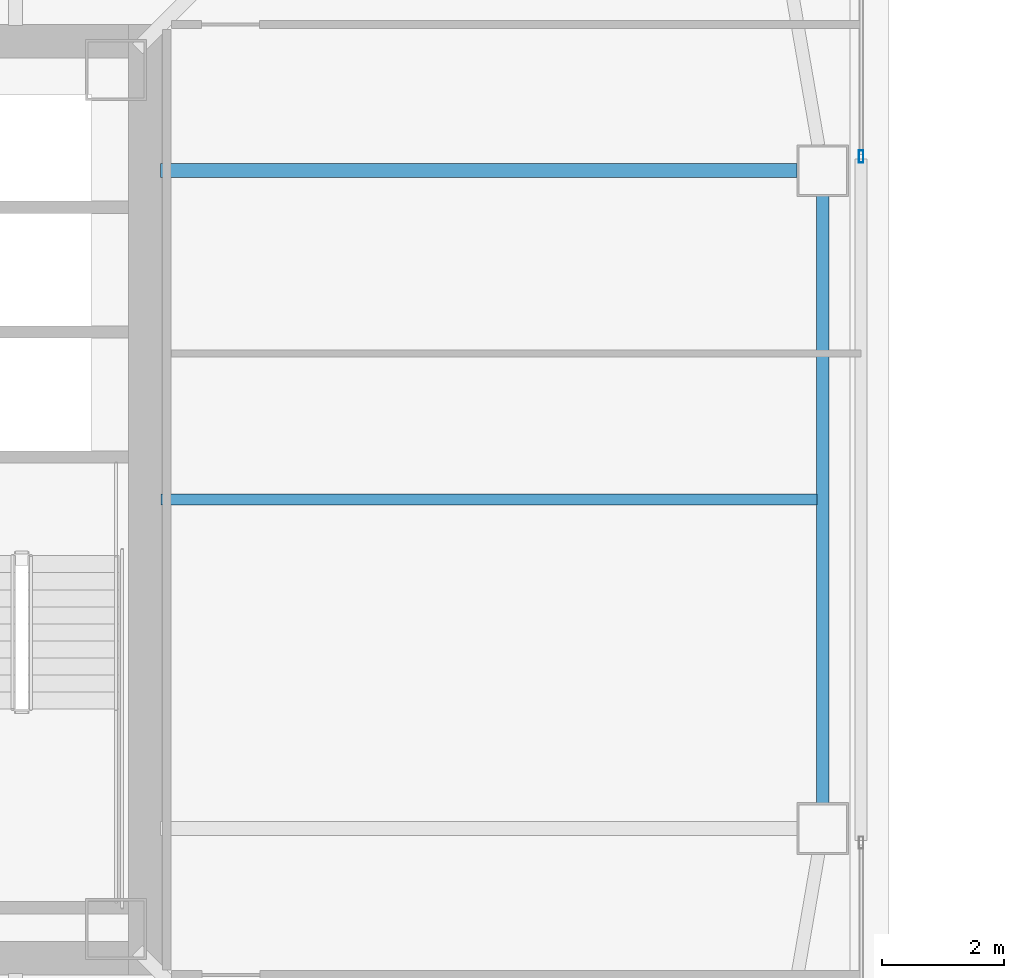
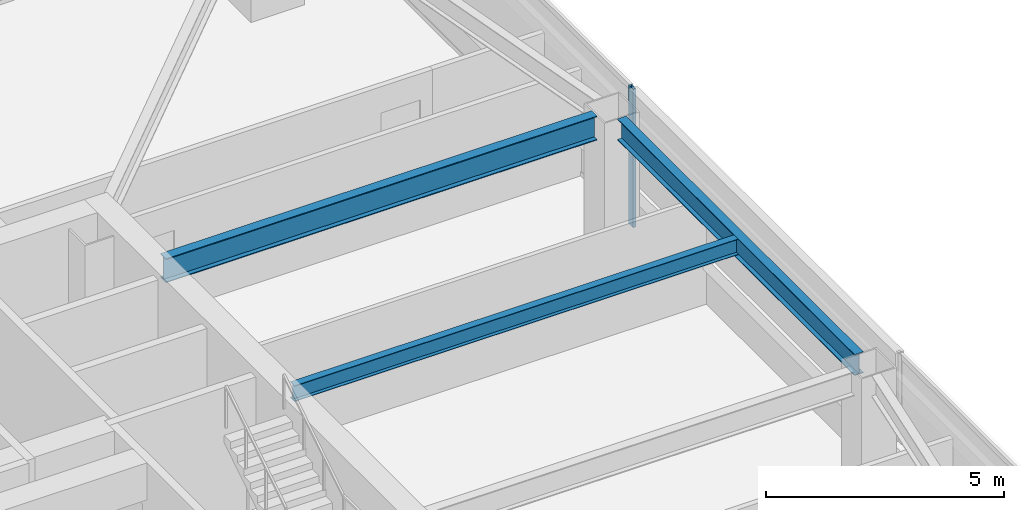
# One storey, part 10 of 41: 3 beams, 1 member, 1 element without a shape of its own.
"""IFC4 building model written with IfcOpenShell, lengths in metres."""

from ifc_helpers import new_model, si_unit, direction, frame, origin, origin_2d, place, context, subcontext, project, spatial, hollow_rectangle, i_section, extrude, material, material_profile, profile_set, type_object, element, aggregate, save


model = new_model("IFC4")

# Units and contexts
model_context = context("Model", 3, precision=1e-05, world=origin(), true_north=direction((0.0, 1.0)))
body_context = subcontext(model_context, "Body", "Model", "MODEL_VIEW")
ifc_project = project(units=[si_unit("LENGTHUNIT", "METRE"), si_unit("AREAUNIT", "SQUARE_METRE"), si_unit("VOLUMEUNIT", "CUBIC_METRE"), si_unit("PLANEANGLEUNIT", "RADIAN"), si_unit("MASSUNIT", "GRAM", prefix="KILO")], contexts=[model_context])

# Site, building, storey
site_placement = place(None, origin())
site = spatial("IfcSite", under=ifc_project, at=site_placement, CompositionType="ELEMENT")
building_placement = place(site_placement, origin())
building = spatial("IfcBuilding", under=site, at=building_placement, Name="Tashvorn Skyway Center", CompositionType="ELEMENT")
storey_placement = place(building_placement, frame((0.0, 0.0, 117.949951171875)))
storey = spatial("IfcBuildingStorey", under=building, at=storey_placement, Name="L31", CompositionType="ELEMENT", Elevation=117.949951171875)

# Beams
ifc_material_1 = material(Name="Steel ASTM A992 Grade 50", Category="steel")
ifc_material_profile_1 = material_profile(ifc_material_1, i_section(OverallWidth=0.22998046875, OverallDepth=0.616943359375, WebThickness=0.01318359375, FlangeThickness=0.022216796875, at=origin_2d()), Name="W24X94")
ifc_profile_set_1 = profile_set([ifc_material_profile_1], Name="Steel ASTM A992 Grade 50")
beam_type_1 = type_object("IfcBeamType", Name="BM-BEAM-W24X94", PredefinedType="BEAM", material=ifc_profile_set_1)
beam_1_placement = place(storey_placement, frame((60.22998046875, 37.39990234375, 3.0615234375), z_axis=(-1.0, 0.0, 0.0), x_axis=(0.0, -1.0, 0.0)))
element("IfcBeam", 1, at=beam_1_placement, inside=storey, type_object=beam_type_1, Name="Tower 1 L31 Primary Floor Girder FC-E2", PredefinedType="BEAM", context=body_context, shape_type="SweptSolid", body=[
    extrude(i_section(OverallWidth=0.22998046875, OverallDepth=0.616943359375, WebThickness=0.01318359375, FlangeThickness=0.022216796875, at=origin_2d()), origin(), (0.0, 0.0, 1.0), 10.449951171875),
])
ifc_material_profile_2 = material_profile(ifc_material_1, i_section(OverallWidth=0.177978515625, OverallDepth=0.406005859375, WebThickness=0.0078125, FlangeThickness=0.0126953125, at=origin_2d()), Name="W16X40")
ifc_profile_set_2 = profile_set([ifc_material_profile_2], Name="Steel ASTM A992 Grade 50")
beam_type_2 = type_object("IfcBeamType", Name="BM-JOIST-W16X40", PredefinedType="JOIST", material=ifc_profile_set_2)
beam_2_placement = place(storey_placement, frame((49.7900390625, 32.0, 3.1669921875), z_axis=(1.0, 0.0, 0.0), x_axis=(0.0, 1.0, 0.0)))
element("IfcBeam", 2, at=beam_2_placement, inside=storey, type_object=beam_type_2, Name="Tower 1 L31 Secondary Composite Joist JE", PredefinedType="JOIST", context=body_context, shape_type="SweptSolid", body=[
    extrude(i_section(OverallWidth=0.177978515625, OverallDepth=0.406005859375, WebThickness=0.0078125, FlangeThickness=0.0126953125, at=origin_2d()), origin(), (0.0, 0.0, 1.0), 10.762451171875),
])
ifc_material_profile_3 = material_profile(ifc_material_1, i_section(OverallWidth=0.2109375, OverallDepth=0.5390625, WebThickness=0.01171875, FlangeThickness=0.018798828125, at=origin_2d()), Name="W21X73")
ifc_profile_set_3 = profile_set([ifc_material_profile_3], Name="Steel ASTM A992 Grade 50")
beam_type_3 = type_object("IfcBeamType", Name="BM-SPANDREL-W21X73", PredefinedType="SPANDREL", material=ifc_profile_set_3)
beam_3_placement = place(storey_placement, frame((60.64990234375, 27.02001953125, 3.1005859375), z_axis=(0.0, 1.0, 0.0), x_axis=(-1.0, 0.0, 0.0)))
element("IfcBeam", 3, at=beam_3_placement, inside=storey, type_object=beam_type_3, Name="Tower 1 L31 Spandrel Beam 05", PredefinedType="SPANDREL", context=body_context, shape_type="SweptSolid", body=[
    extrude(i_section(OverallWidth=0.2109375, OverallDepth=0.5390625, WebThickness=0.01171875, FlangeThickness=0.018798828125, at=origin_2d()), origin(), (0.0, 0.0, 1.0), 9.9599609375),
])

# Curtain wall, member
ifc_material_2 = material(Name="Thermally broken bronze-anodized aluminium 6063-T6", Category="aluminium")
curtain_wall_type = type_object("IfcCurtainWallType", Name="CW-CW-Z3", PredefinedType="NOTDEFINED", material=ifc_material_2)
curtain_wall_placement = place(storey_placement, origin())
curtain_wall = element("IfcCurtainWall", 4, at=curtain_wall_placement, inside=storey, type_object=curtain_wall_type, Name="Tower 1 L31 East Unitised Curtain Wall Glazing Group 1", PredefinedType="NOTDEFINED")
ifc_material_profile_4 = material_profile(ifc_material_2, hollow_rectangle(XDim=0.074951171875, YDim=0.199951171875, WallThickness=0.00439453125, at=origin_2d()), Name="ALU-MULL-75x200")
ifc_profile_set_4 = profile_set([ifc_material_profile_4], Name="Thermally broken bronze-anodized aluminium 6063-T6")
member_type = type_object("IfcMemberType", Name="CWM-CW-Z3", PredefinedType="MULLION", material=ifc_profile_set_4)
member_placement = place(storey_placement, frame((61.280029296875, 37.630859375, 0.0), z_axis=(0.0, 0.0, 1.0), x_axis=(1.0, 0.0, 0.0)))
member = element("IfcMember", 5, at=member_placement, type_object=member_type, Name="CW-Z3 mullion 2", PredefinedType="MULLION", context=body_context, shape_type="SweptSolid", body=[
    extrude(hollow_rectangle(XDim=0.074951171875, YDim=0.199951171875, WallThickness=0.00439453125, at=origin_2d()), origin(), (0.0, 0.0, 1.0), 3.550048828125),
])
aggregate(curtain_wall, [member])

save(model, "model.ifc")
